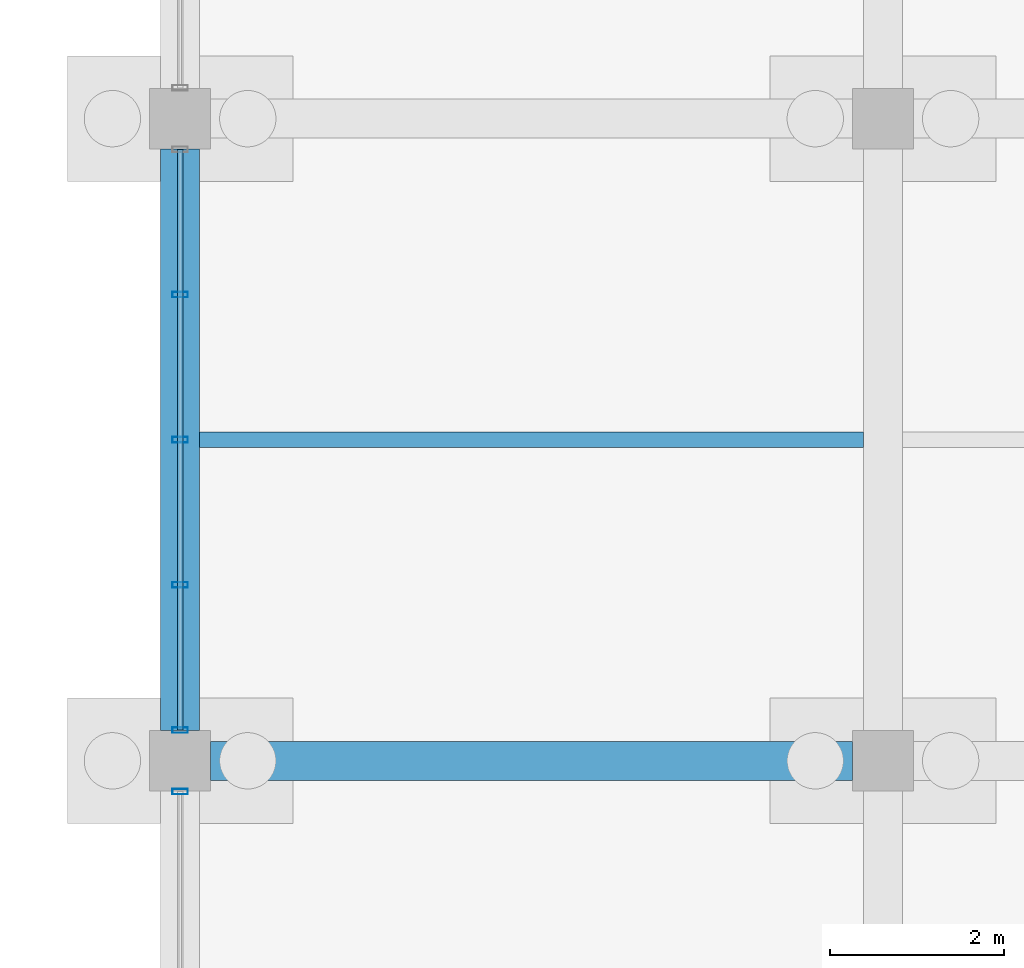
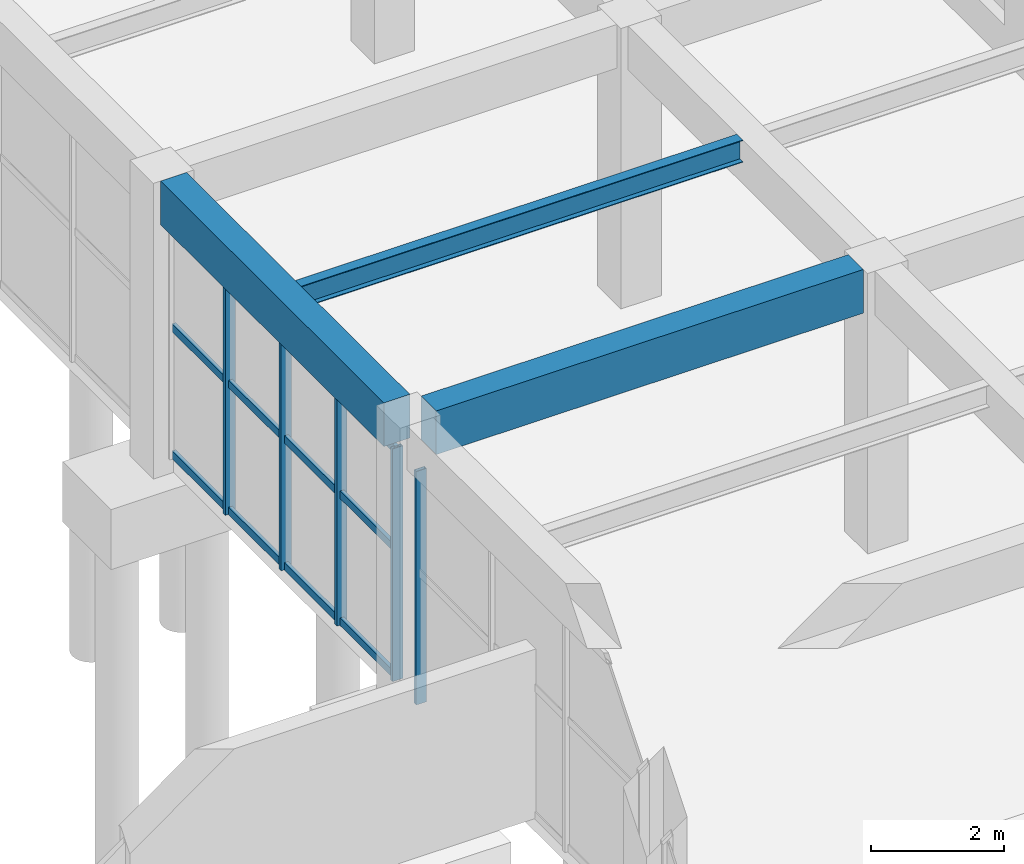
# One storey, part 80 of 140: 8 members, 3 beams, 2 elements without a shape of their own.
"""IFC4 building model written with IfcOpenShell, lengths in metres."""

from ifc_helpers import new_model, si_unit, direction, frame, origin, origin_2d, place, context, subcontext, project, spatial, rectangle, hollow_rectangle, i_section, extrude, material, material_profile, profile_set, type_object, element, aggregate, save


model = new_model("IFC4")

# Units and contexts
model_context = context("Model", 3, precision=1e-05, world=origin(), true_north=direction((0.0, 1.0)))
body_context = subcontext(model_context, "Body", "Model", "MODEL_VIEW")
ifc_project = project(units=[si_unit("LENGTHUNIT", "METRE"), si_unit("AREAUNIT", "SQUARE_METRE"), si_unit("VOLUMEUNIT", "CUBIC_METRE"), si_unit("PLANEANGLEUNIT", "RADIAN"), si_unit("MASSUNIT", "GRAM", prefix="KILO")], contexts=[model_context])

# Site, building, storey
site_placement = place(None, origin())
site = spatial("IfcSite", under=ifc_project, at=site_placement, CompositionType="ELEMENT")
building_placement = place(site_placement, origin())
building = spatial("IfcBuilding", under=site, at=building_placement, Name="Cimatlan Art Gallery", CompositionType="ELEMENT")
storey_placement = place(building_placement, origin())
storey = spatial("IfcBuildingStorey", under=building, at=storey_placement, Name="L00", CompositionType="ELEMENT", Elevation=0.0)

# Beams
ifc_material_1 = material(Name="Concrete C40/50", Category="concrete")
ifc_material_profile_1 = material_profile(ifc_material_1, rectangle(XDim=0.449951171875, YDim=0.800048828125, at=origin_2d()), Name="RC450X800")
ifc_profile_set_1 = profile_set([ifc_material_profile_1], Name="Concrete C40/50")
beam_type_1 = type_object("IfcBeamType", Name="BM-RC-450X800", PredefinedType="BEAM", material=ifc_profile_set_1)
beam_1_placement = place(storey_placement, frame((115.39990234375, 76.050048828125, 4.735107421875), z_axis=(0.0, 1.0, 0.0), x_axis=(-1.0, 0.0, 0.0)))
element("IfcBeam", 1, at=beam_1_placement, inside=storey, type_object=beam_type_1, Name="BM-Y-L00-14-10", PredefinedType="BEAM", context=body_context, shape_type="SweptSolid", body=[
    extrude(rectangle(XDim=0.449951171875, YDim=0.800048828125, at=origin_2d()), origin(), (0.0, 0.0, 1.0), 6.699951171875),
])
beam_2_placement = place(storey_placement, frame((115.75, 75.699951171875, 4.735107421875), z_axis=(1.0, 0.0, 0.0), x_axis=(0.0, 1.0, 0.0)))
element("IfcBeam", 2, at=beam_2_placement, inside=storey, type_object=beam_type_1, Name="BM-X-L00-14-10", PredefinedType="BEAM", context=body_context, shape_type="SweptSolid", body=[
    extrude(rectangle(XDim=0.449951171875, YDim=0.800048828125, at=origin_2d()), origin(), (0.0, 0.0, 1.0), 7.39990234375),
])
ifc_material_2 = material(Name="Steel ASTM A992 Grade 50", Category="steel")
ifc_material_profile_2 = material_profile(ifc_material_2, i_section(OverallWidth=0.177978515625, OverallDepth=0.406982421875, WebThickness=0.0078125, FlangeThickness=0.0126953125, at=origin_2d()), Name="W16X40")
ifc_profile_set_2 = profile_set([ifc_material_profile_2], Name="Steel ASTM A992 Grade 50")
beam_type_2 = type_object("IfcBeamType", Name="BM-STL-W16X40", PredefinedType="JOIST", material=ifc_profile_set_2)
beam_3_placement = place(storey_placement, frame((115.625, 79.39990234375, 4.931396484375), z_axis=(1.0, 0.0, 0.0), x_axis=(0.0, 1.0, 0.0)))
element("IfcBeam", 3, at=beam_3_placement, inside=storey, type_object=beam_type_2, Name="JST-L00-14-10", PredefinedType="JOIST", context=body_context, shape_type="SweptSolid", body=[
    extrude(i_section(OverallWidth=0.177978515625, OverallDepth=0.406982421875, WebThickness=0.0078125, FlangeThickness=0.0126953125, at=origin_2d()), origin(), (0.0, 0.0, 1.0), 7.64990234375),
])

# Curtain wall, member
ifc_material_3 = material(Name="Anodised bronze unitised curtain wall")
curtain_wall_type_1 = type_object("IfcCurtainWallType", Name="CW-V-06692X04275-B3", PredefinedType="NOTDEFINED", material=ifc_material_3)
curtain_wall_1_placement = place(storey_placement, origin())
curtain_wall_1 = element("IfcCurtainWall", 4, at=curtain_wall_1_placement, inside=storey, type_object=curtain_wall_type_1, Name="CW-L00-14-09-W", PredefinedType="NOTDEFINED")
ifc_material_4 = material(Name="Anodised bronze aluminium 6063-T6", Category="aluminium")
ifc_material_profile_3 = material_profile(ifc_material_4, hollow_rectangle(XDim=0.06494140625, YDim=0.179931640625, WallThickness=0.00390625, at=origin_2d()), Name="ALU65X180X4")
ifc_profile_set_3 = profile_set([ifc_material_profile_3], Name="Anodised bronze aluminium 6063-T6")
member_type_1 = type_object("IfcMemberType", Name="CW-MUL-180", PredefinedType="MULLION", material=ifc_profile_set_3)
member_1_placement = place(storey_placement, frame((115.39990234375, 75.345947265625, 0.0), z_axis=(0.0, 0.0, 1.0), x_axis=(0.0, 1.0, 0.0)))
member_1 = element("IfcMember", 5, at=member_1_placement, type_object=member_type_1, Name="CW-L00-14-09-W-M4", PredefinedType="MULLION", context=body_context, shape_type="SweptSolid", body=[
    extrude(hollow_rectangle(XDim=0.06494140625, YDim=0.179931640625, WallThickness=0.00390625, at=origin_2d()), origin(), (0.0, 0.0, 1.0), 4.27490234375),
])
aggregate(curtain_wall_1, [member_1])

# Curtain wall, members
curtain_wall_type_2 = type_object("IfcCurtainWallType", Name="CW-V-06692X04260-B4", PredefinedType="NOTDEFINED", material=ifc_material_3)
curtain_wall_2_placement = place(storey_placement, origin())
curtain_wall_2 = element("IfcCurtainWall", 6, at=curtain_wall_2_placement, inside=storey, type_object=curtain_wall_type_2, Name="CW-L00-14-10-W", PredefinedType="NOTDEFINED")
member_2_placement = place(storey_placement, frame((115.39990234375, 76.053955078125, 0.0), z_axis=(0.0, 0.0, 1.0), x_axis=(0.0, 1.0, 0.0)))
member_2 = element("IfcMember", 7, at=member_2_placement, type_object=member_type_1, Name="CW-L00-14-10-W-M1", PredefinedType="MULLION", context=body_context, shape_type="SweptSolid", body=[
    extrude(hollow_rectangle(XDim=0.06494140625, YDim=0.179931640625, WallThickness=0.00390625, at=origin_2d()), origin(), (0.0, 0.0, 1.0), 4.260009765625),
])
member_3_placement = place(storey_placement, frame((115.39990234375, 77.72705078125, 0.0), z_axis=(0.0, 0.0, 1.0), x_axis=(0.0, 1.0, 0.0)))
member_3 = element("IfcMember", 8, at=member_3_placement, type_object=member_type_1, Name="CW-L00-14-10-W-M2", PredefinedType="MULLION", context=body_context, shape_type="SweptSolid", body=[
    extrude(hollow_rectangle(XDim=0.06494140625, YDim=0.179931640625, WallThickness=0.00390625, at=origin_2d()), origin(), (0.0, 0.0, 1.0), 4.260009765625),
])
member_4_placement = place(storey_placement, frame((115.39990234375, 79.39990234375, 0.0), z_axis=(0.0, 0.0, 1.0), x_axis=(0.0, 1.0, 0.0)))
member_4 = element("IfcMember", 9, at=member_4_placement, type_object=member_type_1, Name="CW-L00-14-10-W-M3", PredefinedType="MULLION", context=body_context, shape_type="SweptSolid", body=[
    extrude(hollow_rectangle(XDim=0.06494140625, YDim=0.179931640625, WallThickness=0.00390625, at=origin_2d()), origin(), (0.0, 0.0, 1.0), 4.260009765625),
])
member_5_placement = place(storey_placement, frame((115.39990234375, 81.072998046875, 0.0), z_axis=(0.0, 0.0, 1.0), x_axis=(0.0, 1.0, 0.0)))
member_5 = element("IfcMember", 10, at=member_5_placement, type_object=member_type_1, Name="CW-L00-14-10-W-M4", PredefinedType="MULLION", context=body_context, shape_type="SweptSolid", body=[
    extrude(hollow_rectangle(XDim=0.06494140625, YDim=0.179931640625, WallThickness=0.00390625, at=origin_2d()), origin(), (0.0, 0.0, 1.0), 4.260009765625),
])
ifc_material_profile_4 = material_profile(ifc_material_4, hollow_rectangle(XDim=0.06494140625, YDim=0.139892578125, WallThickness=0.00390625, at=origin_2d()), Name="ALU65X140X4")
ifc_profile_set_4 = profile_set([ifc_material_profile_4], Name="Anodised bronze aluminium 6063-T6")
member_type_2 = type_object("IfcMemberType", Name="CW-TRN-140", PredefinedType="USERDEFINED", material=ifc_profile_set_4)
member_6_placement = place(storey_placement, frame((115.39990234375, 76.053955078125, 0.06005859375), z_axis=(0.0, 1.0, 0.0), x_axis=(-1.0, 0.0, 0.0)))
member_6 = element("IfcMember", 11, at=member_6_placement, type_object=member_type_2, Name="CW-L00-14-10-W-T1", ObjectType="TRANSOM", PredefinedType="USERDEFINED", context=body_context, shape_type="SweptSolid", body=[
    extrude(hollow_rectangle(XDim=0.06494140625, YDim=0.139892578125, WallThickness=0.00390625, at=origin_2d()), origin(), (0.0, 0.0, 1.0), 6.692138671875),
])
member_7_placement = place(storey_placement, frame((115.39990234375, 76.053955078125, 2.385498046875), z_axis=(0.0, 1.0, 0.0), x_axis=(-1.0, 0.0, 0.0)))
member_7 = element("IfcMember", 12, at=member_7_placement, type_object=member_type_2, Name="CW-L00-14-10-W-T2", ObjectType="TRANSOM", PredefinedType="USERDEFINED", context=body_context, shape_type="SweptSolid", body=[
    extrude(hollow_rectangle(XDim=0.06494140625, YDim=0.139892578125, WallThickness=0.00390625, at=origin_2d()), origin(), (0.0, 0.0, 1.0), 6.692138671875),
])
member_8_placement = place(storey_placement, frame((115.39990234375, 76.053955078125, 4.199951171875), z_axis=(0.0, 1.0, 0.0), x_axis=(-1.0, 0.0, 0.0)))
member_8 = element("IfcMember", 13, at=member_8_placement, type_object=member_type_2, Name="CW-L00-14-10-W-T3", ObjectType="TRANSOM", PredefinedType="USERDEFINED", context=body_context, shape_type="SweptSolid", body=[
    extrude(hollow_rectangle(XDim=0.06494140625, YDim=0.139892578125, WallThickness=0.00390625, at=origin_2d()), origin(), (0.0, 0.0, 1.0), 6.692138671875),
])
aggregate(curtain_wall_2, [member_2, member_3, member_4, member_5, member_6, member_7, member_8])

save(model, "model.ifc")
